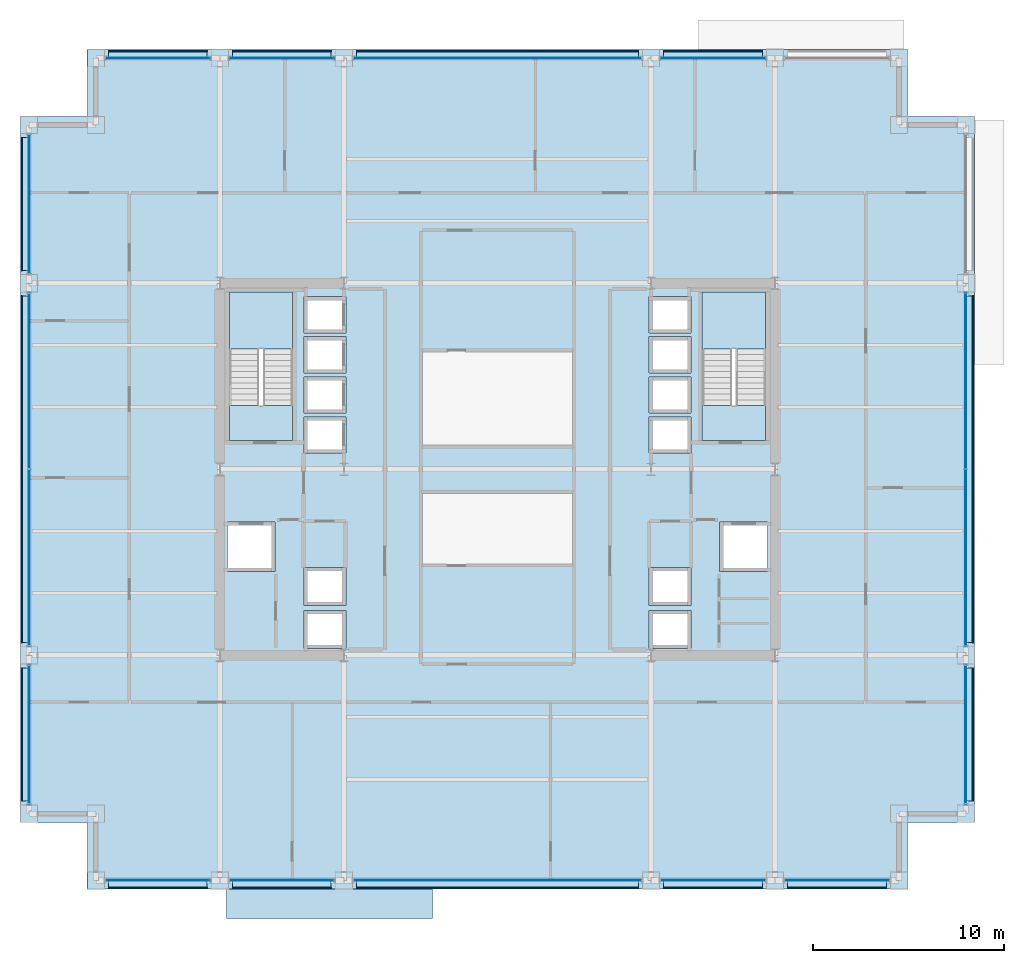
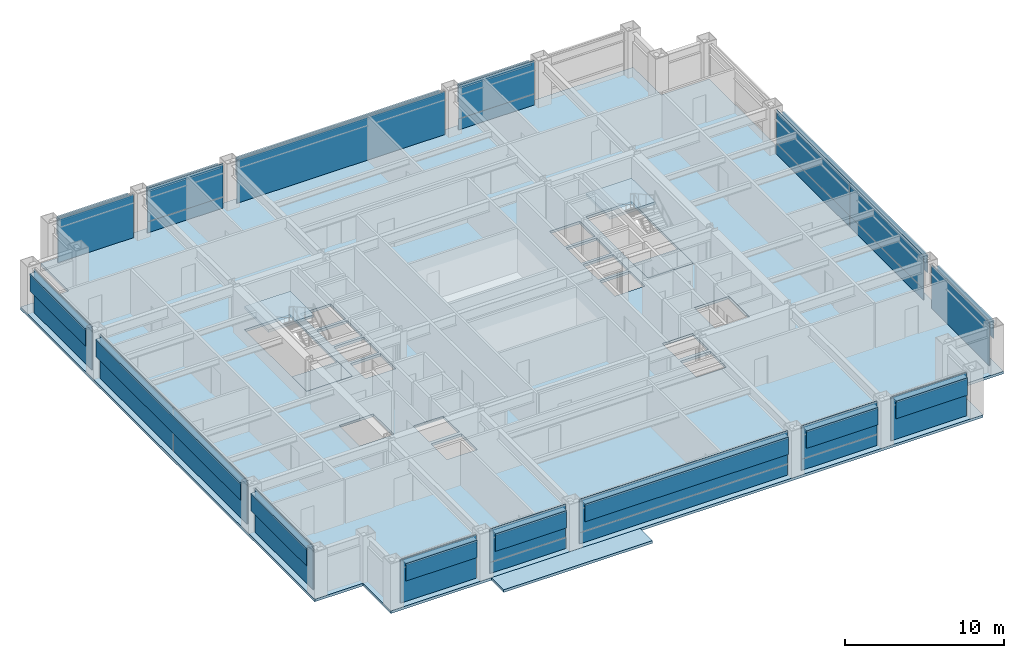
# One storey, part 23 of 28: 51 plates, 6 slabs, 16 elements without a shape of their own.
"""IFC4 building model written with IfcOpenShell, lengths in metres."""

from ifc_helpers import new_model, si_unit, direction, frame, origin, origin_2d, place, context, subcontext, project, spatial, polyline, rectangle, outline, extrude, material, layer, layer_set, type_object, element, aggregate, save


model = new_model("IFC4")

# Units and contexts
model_context = context("Model", 3, precision=1e-05, world=origin(), true_north=direction((0.0, 1.0)))
body_context = subcontext(model_context, "Body", "Model", "MODEL_VIEW")
ifc_project = project(units=[si_unit("LENGTHUNIT", "METRE"), si_unit("AREAUNIT", "SQUARE_METRE"), si_unit("VOLUMEUNIT", "CUBIC_METRE"), si_unit("PLANEANGLEUNIT", "RADIAN"), si_unit("MASSUNIT", "GRAM", prefix="KILO")], contexts=[model_context])

# Site, building, storey
site_placement = place(None, origin())
site = spatial("IfcSite", under=ifc_project, at=site_placement, CompositionType="ELEMENT")
building_placement = place(site_placement, origin())
building = spatial("IfcBuilding", under=site, at=building_placement, Name="Brelmoor Portico Tower", CompositionType="ELEMENT")
storey_placement = place(building_placement, frame((0.0, 0.0, 49.199951171875)))
storey = spatial("IfcBuildingStorey", under=building, at=storey_placement, Name="L12", CompositionType="ELEMENT", Elevation=49.199951171875)

# Curtain wall, plate
ifc_material_1 = material(Name="Anodised Aluminium Alloy 6063-T6", Category="aluminium")
ifc_layer_1 = layer(ifc_material_1, 0.179931640625)
ifc_layer_set_1 = layer_set([ifc_layer_1], Name="Anodised Aluminium Alloy 6063-T6")
curtain_wall_type_1 = type_object("IfcCurtainWallType", Name="CW-TOWER-Z1", PredefinedType="NOTDEFINED", material=ifc_layer_set_1)
curtain_wall_1_placement = place(storey_placement, origin())
curtain_wall_1 = element("IfcCurtainWall", 1, at=curtain_wall_1_placement, inside=storey, type_object=curtain_wall_type_1, Name="L12 Curtain Wall CW-L12-01-2", PredefinedType="NOTDEFINED")
ifc_material_2 = material(Name="Double-Silver Low-E Insulated Glazing", Category="glass")
ifc_layer_2 = layer(ifc_material_2, 0.035888671875)
ifc_layer_set_2 = layer_set([ifc_layer_2], Name="Double-Silver Low-E Insulated Glazing")
plate_type_1 = type_object("IfcPlateType", Name="PT-CW-GLASS", PredefinedType="CURTAIN_PANEL", material=ifc_layer_set_2)
plate_1_placement = place(storey_placement, frame((-11.300048828125, -21.550048828125, 0.85009765625), z_axis=(0.0, 0.0, 1.0), x_axis=(1.0, 0.0, 0.0)))
plate_1 = element("IfcPlate", 2, at=plate_1_placement, type_object=plate_type_1, Name="CW-L12-01-2 Vision Glass Panel 00", PredefinedType="CURTAIN_PANEL", context=body_context, shape_type="SweptSolid", body=[
    extrude(rectangle(XDim=5.5, YDim=0.035888671875, at=origin_2d()), origin(), (0.0, 0.0, 1.0), 2.550048828125),
])

curtain_wall_2_placement = place(storey_placement, origin())
curtain_wall_2 = element("IfcCurtainWall", 3, at=curtain_wall_2_placement, inside=storey, type_object=curtain_wall_type_1, Name="L12 Curtain Wall CW-L12-01-3", PredefinedType="NOTDEFINED")
plate_2_placement = place(storey_placement, frame((0.0, -21.550048828125, 0.85009765625), z_axis=(0.0, 0.0, 1.0), x_axis=(1.0, 0.0, 0.0)))
plate_2 = element("IfcPlate", 4, at=plate_2_placement, type_object=plate_type_1, Name="CW-L12-01-3 Vision Glass Panel 00", PredefinedType="CURTAIN_PANEL", context=body_context, shape_type="SweptSolid", body=[
    extrude(rectangle(XDim=15.10009765625, YDim=0.035888671875, at=origin_2d()), origin(), (0.0, 0.0, 1.0), 2.550048828125),
])

curtain_wall_3_placement = place(storey_placement, origin())
curtain_wall_3 = element("IfcCurtainWall", 5, at=curtain_wall_3_placement, inside=storey, type_object=curtain_wall_type_1, Name="L12 Curtain Wall CW-L12-01-4", PredefinedType="NOTDEFINED")
plate_3_placement = place(storey_placement, frame((11.300048828125, -21.550048828125, 0.85009765625), z_axis=(0.0, 0.0, 1.0), x_axis=(1.0, 0.0, 0.0)))
plate_3 = element("IfcPlate", 6, at=plate_3_placement, type_object=plate_type_1, Name="CW-L12-01-4 Vision Glass Panel 00", PredefinedType="CURTAIN_PANEL", context=body_context, shape_type="SweptSolid", body=[
    extrude(rectangle(XDim=5.5, YDim=0.035888671875, at=origin_2d()), origin(), (0.0, 0.0, 1.0), 2.550048828125),
])

curtain_wall_4_placement = place(storey_placement, origin())
curtain_wall_4 = element("IfcCurtainWall", 7, at=curtain_wall_4_placement, inside=storey, type_object=curtain_wall_type_1, Name="L12 Curtain Wall CW-L12-02-2", PredefinedType="NOTDEFINED")
plate_4_placement = place(storey_placement, frame((-11.300048828125, 21.550048828125, 0.85009765625), z_axis=(0.0, 0.0, 1.0), x_axis=(1.0, 0.0, 0.0)))
plate_4 = element("IfcPlate", 8, at=plate_4_placement, type_object=plate_type_1, Name="CW-L12-02-2 Vision Glass Panel 00", PredefinedType="CURTAIN_PANEL", context=body_context, shape_type="SweptSolid", body=[
    extrude(rectangle(XDim=5.5, YDim=0.035888671875, at=origin_2d()), origin(), (0.0, 0.0, 1.0), 2.550048828125),
])

curtain_wall_5_placement = place(storey_placement, origin())
curtain_wall_5 = element("IfcCurtainWall", 9, at=curtain_wall_5_placement, inside=storey, type_object=curtain_wall_type_1, Name="L12 Curtain Wall CW-L12-02-4", PredefinedType="NOTDEFINED")
plate_5_placement = place(storey_placement, frame((11.300048828125, 21.550048828125, 0.85009765625), z_axis=(0.0, 0.0, 1.0), x_axis=(1.0, 0.0, 0.0)))
plate_5 = element("IfcPlate", 10, at=plate_5_placement, type_object=plate_type_1, Name="CW-L12-02-4 Vision Glass Panel 00", PredefinedType="CURTAIN_PANEL", context=body_context, shape_type="SweptSolid", body=[
    extrude(rectangle(XDim=5.5, YDim=0.035888671875, at=origin_2d()), origin(), (0.0, 0.0, 1.0), 2.550048828125),
])

# Curtain wall, plates
curtain_wall_6_placement = place(storey_placement, origin())
curtain_wall_6 = element("IfcCurtainWall", 11, at=curtain_wall_6_placement, inside=storey, type_object=curtain_wall_type_1, Name="L12 Curtain Wall CW-L12-04-2", PredefinedType="NOTDEFINED")
plate_6_placement = place(storey_placement, frame((24.550048828125, -4.632568359375, 0.85009765625), z_axis=(0.0, 0.0, 1.0), x_axis=(0.0, 1.0, 0.0)))
plate_6 = element("IfcPlate", 12, at=plate_6_placement, type_object=plate_type_1, Name="CW-L12-04-2 Vision Glass Panel 00", PredefinedType="CURTAIN_PANEL", context=body_context, shape_type="SweptSolid", body=[
    extrude(rectangle(XDim=9.235107421875, YDim=0.035888671875, at=origin_2d()), origin(), (0.0, 0.0, 1.0), 2.550048828125),
])
plate_7_placement = place(storey_placement, frame((24.550048828125, 4.632568359375, 0.85009765625), z_axis=(0.0, 0.0, 1.0), x_axis=(0.0, 1.0, 0.0)))
plate_7 = element("IfcPlate", 13, at=plate_7_placement, type_object=plate_type_1, Name="CW-L12-04-2 Vision Glass Panel 01", PredefinedType="CURTAIN_PANEL", context=body_context, shape_type="SweptSolid", body=[
    extrude(rectangle(XDim=9.235107421875, YDim=0.035888671875, at=origin_2d()), origin(), (0.0, 0.0, 1.0), 2.550048828125),
])

# Curtain wall, plate
ifc_layer_3 = layer(ifc_material_1, 0.179931640625)
ifc_layer_set_3 = layer_set([ifc_layer_3], Name="Anodised Aluminium Alloy 6063-T6")
curtain_wall_type_2 = type_object("IfcCurtainWallType", Name="CW-TOWER-Z1-XB", PredefinedType="NOTDEFINED", material=ifc_layer_set_3)
curtain_wall_7_placement = place(storey_placement, origin())
curtain_wall_7 = element("IfcCurtainWall", 14, at=curtain_wall_7_placement, inside=storey, type_object=curtain_wall_type_2, Name="L12 Curtain Wall CW-L12-01-1", PredefinedType="NOTDEFINED")
ifc_material_3 = material(Name="Pale Champagne Anodised Aluminium Panel", Category="aluminium")
ifc_layer_4 = layer(ifc_material_3, 0.050048828125)
ifc_layer_set_4 = layer_set([ifc_layer_4], Name="Pale Champagne Anodised Aluminium Panel")
plate_type_2 = type_object("IfcPlateType", Name="PT-CW-SPANDREL", PredefinedType="SHEET", material=ifc_layer_set_4)
plate_8_placement = place(storey_placement, frame((-17.800048828125, -21.550048828125, 0.0), z_axis=(0.0, 0.0, 1.0), x_axis=(1.0, 0.0, 0.0)))
plate_8 = element("IfcPlate", 15, at=plate_8_placement, type_object=plate_type_2, Name="CW-L12-01-1 Spandrel Panel 00", PredefinedType="SHEET", context=body_context, shape_type="SweptSolid", body=[
    extrude(rectangle(XDim=5.5, YDim=0.050048828125, at=origin_2d()), origin(), (0.0, 0.0, 1.0), 3.330078125),
])
aggregate(curtain_wall_7, [plate_8])

# Plate
plate_9_placement = place(storey_placement, frame((-11.300048828125, -21.550048828125, 0.0), z_axis=(0.0, 0.0, 1.0), x_axis=(1.0, 0.0, 0.0)))
plate_9 = element("IfcPlate", 16, at=plate_9_placement, type_object=plate_type_2, Name="CW-L12-01-2 Spandrel Panel 00", PredefinedType="SHEET", context=body_context, shape_type="SweptSolid", body=[
    extrude(rectangle(XDim=5.5, YDim=0.050048828125, at=origin_2d()), origin(), (0.0, 0.0, 1.0), 0.85009765625),
])

aggregate(curtain_wall_1, [plate_9, plate_1])

plate_10_placement = place(storey_placement, frame((0.0, -21.550048828125, 0.0), z_axis=(0.0, 0.0, 1.0), x_axis=(1.0, 0.0, 0.0)))
plate_10 = element("IfcPlate", 17, at=plate_10_placement, type_object=plate_type_2, Name="CW-L12-01-3 Spandrel Panel 00", PredefinedType="SHEET", context=body_context, shape_type="SweptSolid", body=[
    extrude(rectangle(XDim=15.10009765625, YDim=0.050048828125, at=origin_2d()), origin(), (0.0, 0.0, 1.0), 0.85009765625),
])

aggregate(curtain_wall_2, [plate_10, plate_2])

plate_11_placement = place(storey_placement, frame((11.300048828125, -21.550048828125, 0.0), z_axis=(0.0, 0.0, 1.0), x_axis=(1.0, 0.0, 0.0)))
plate_11 = element("IfcPlate", 18, at=plate_11_placement, type_object=plate_type_2, Name="CW-L12-01-4 Spandrel Panel 00", PredefinedType="SHEET", context=body_context, shape_type="SweptSolid", body=[
    extrude(rectangle(XDim=5.5, YDim=0.050048828125, at=origin_2d()), origin(), (0.0, 0.0, 1.0), 0.85009765625),
])

aggregate(curtain_wall_3, [plate_11, plate_3])

# Curtain wall, plate
curtain_wall_8_placement = place(storey_placement, origin())
curtain_wall_8 = element("IfcCurtainWall", 19, at=curtain_wall_8_placement, inside=storey, type_object=curtain_wall_type_2, Name="L12 Curtain Wall CW-L12-01-5", PredefinedType="NOTDEFINED")
plate_12_placement = place(storey_placement, frame((17.800048828125, -21.550048828125, 0.0), z_axis=(0.0, 0.0, 1.0), x_axis=(1.0, 0.0, 0.0)))
plate_12 = element("IfcPlate", 20, at=plate_12_placement, type_object=plate_type_2, Name="CW-L12-01-5 Spandrel Panel 00", PredefinedType="SHEET", context=body_context, shape_type="SweptSolid", body=[
    extrude(rectangle(XDim=5.5, YDim=0.050048828125, at=origin_2d()), origin(), (0.0, 0.0, 1.0), 3.330078125),
])
aggregate(curtain_wall_8, [plate_12])

curtain_wall_9_placement = place(storey_placement, origin())
curtain_wall_9 = element("IfcCurtainWall", 21, at=curtain_wall_9_placement, inside=storey, type_object=curtain_wall_type_2, Name="L12 Curtain Wall CW-L12-02-1", PredefinedType="NOTDEFINED")
plate_13_placement = place(storey_placement, frame((-17.800048828125, 21.550048828125, 0.0), z_axis=(0.0, 0.0, 1.0), x_axis=(1.0, 0.0, 0.0)))
plate_13 = element("IfcPlate", 22, at=plate_13_placement, type_object=plate_type_2, Name="CW-L12-02-1 Spandrel Panel 00", PredefinedType="SHEET", context=body_context, shape_type="SweptSolid", body=[
    extrude(rectangle(XDim=5.5, YDim=0.050048828125, at=origin_2d()), origin(), (0.0, 0.0, 1.0), 3.330078125),
])
aggregate(curtain_wall_9, [plate_13])

# Plate
plate_14_placement = place(storey_placement, frame((-11.300048828125, 21.550048828125, 0.0), z_axis=(0.0, 0.0, 1.0), x_axis=(1.0, 0.0, 0.0)))
plate_14 = element("IfcPlate", 23, at=plate_14_placement, type_object=plate_type_2, Name="CW-L12-02-2 Spandrel Panel 00", PredefinedType="SHEET", context=body_context, shape_type="SweptSolid", body=[
    extrude(rectangle(XDim=5.5, YDim=0.050048828125, at=origin_2d()), origin(), (0.0, 0.0, 1.0), 0.85009765625),
])

aggregate(curtain_wall_4, [plate_14, plate_4])

# Curtain wall, plate
curtain_wall_10_placement = place(storey_placement, origin())
curtain_wall_10 = element("IfcCurtainWall", 24, at=curtain_wall_10_placement, inside=storey, type_object=curtain_wall_type_2, Name="L12 Curtain Wall CW-L12-02-3", PredefinedType="NOTDEFINED")
plate_15_placement = place(storey_placement, frame((0.0, 21.550048828125, 0.0), z_axis=(0.0, 0.0, 1.0), x_axis=(1.0, 0.0, 0.0)))
plate_15 = element("IfcPlate", 25, at=plate_15_placement, type_object=plate_type_2, Name="CW-L12-02-3 Spandrel Panel 00", PredefinedType="SHEET", context=body_context, shape_type="SweptSolid", body=[
    extrude(rectangle(XDim=15.10009765625, YDim=0.050048828125, at=origin_2d()), origin(), (0.0, 0.0, 1.0), 3.330078125),
])
aggregate(curtain_wall_10, [plate_15])

# Plate
plate_16_placement = place(storey_placement, frame((11.300048828125, 21.550048828125, 0.0), z_axis=(0.0, 0.0, 1.0), x_axis=(1.0, 0.0, 0.0)))
plate_16 = element("IfcPlate", 26, at=plate_16_placement, type_object=plate_type_2, Name="CW-L12-02-4 Spandrel Panel 00", PredefinedType="SHEET", context=body_context, shape_type="SweptSolid", body=[
    extrude(rectangle(XDim=5.5, YDim=0.050048828125, at=origin_2d()), origin(), (0.0, 0.0, 1.0), 0.85009765625),
])

aggregate(curtain_wall_5, [plate_16, plate_5])

# Curtain wall, plate
curtain_wall_11_placement = place(storey_placement, origin())
curtain_wall_11 = element("IfcCurtainWall", 27, at=curtain_wall_11_placement, inside=storey, type_object=curtain_wall_type_2, Name="L12 Curtain Wall CW-L12-03-1", PredefinedType="NOTDEFINED")
plate_17_placement = place(storey_placement, frame((-24.550048828125, -13.89990234375, 0.0), z_axis=(0.0, 0.0, 1.0), x_axis=(0.0, 1.0, 0.0)))
plate_17 = element("IfcPlate", 28, at=plate_17_placement, type_object=plate_type_2, Name="CW-L12-03-1 Spandrel Panel 00", PredefinedType="SHEET", context=body_context, shape_type="SweptSolid", body=[
    extrude(rectangle(XDim=7.300048828125, YDim=0.050048828125, at=origin_2d()), origin(), (0.0, 0.0, 1.0), 3.330078125),
])
aggregate(curtain_wall_11, [plate_17])

# Curtain wall, plates
curtain_wall_12_placement = place(storey_placement, origin())
curtain_wall_12 = element("IfcCurtainWall", 29, at=curtain_wall_12_placement, inside=storey, type_object=curtain_wall_type_2, Name="L12 Curtain Wall CW-L12-03-2", PredefinedType="NOTDEFINED")
plate_18_placement = place(storey_placement, frame((-24.550048828125, -4.632568359375, 0.0), z_axis=(0.0, 0.0, 1.0), x_axis=(0.0, 1.0, 0.0)))
plate_18 = element("IfcPlate", 30, at=plate_18_placement, type_object=plate_type_2, Name="CW-L12-03-2 Spandrel Panel 00", PredefinedType="SHEET", context=body_context, shape_type="SweptSolid", body=[
    extrude(rectangle(XDim=9.235107421875, YDim=0.050048828125, at=origin_2d()), origin(), (0.0, 0.0, 1.0), 3.330078125),
])
plate_19_placement = place(storey_placement, frame((-24.550048828125, 4.632568359375, 0.0), z_axis=(0.0, 0.0, 1.0), x_axis=(0.0, 1.0, 0.0)))
plate_19 = element("IfcPlate", 31, at=plate_19_placement, type_object=plate_type_2, Name="CW-L12-03-2 Spandrel Panel 01", PredefinedType="SHEET", context=body_context, shape_type="SweptSolid", body=[
    extrude(rectangle(XDim=9.235107421875, YDim=0.050048828125, at=origin_2d()), origin(), (0.0, 0.0, 1.0), 3.330078125),
])
aggregate(curtain_wall_12, [plate_18, plate_19])

# Curtain wall, plate
curtain_wall_13_placement = place(storey_placement, origin())
curtain_wall_13 = element("IfcCurtainWall", 32, at=curtain_wall_13_placement, inside=storey, type_object=curtain_wall_type_2, Name="L12 Curtain Wall CW-L12-03-3", PredefinedType="NOTDEFINED")
plate_20_placement = place(storey_placement, frame((-24.550048828125, 13.89990234375, 0.0), z_axis=(0.0, 0.0, 1.0), x_axis=(0.0, 1.0, 0.0)))
plate_20 = element("IfcPlate", 33, at=plate_20_placement, type_object=plate_type_2, Name="CW-L12-03-3 Spandrel Panel 00", PredefinedType="SHEET", context=body_context, shape_type="SweptSolid", body=[
    extrude(rectangle(XDim=7.300048828125, YDim=0.050048828125, at=origin_2d()), origin(), (0.0, 0.0, 1.0), 3.330078125),
])
aggregate(curtain_wall_13, [plate_20])

curtain_wall_14_placement = place(storey_placement, origin())
curtain_wall_14 = element("IfcCurtainWall", 34, at=curtain_wall_14_placement, inside=storey, type_object=curtain_wall_type_2, Name="L12 Curtain Wall CW-L12-04-1", PredefinedType="NOTDEFINED")
plate_21_placement = place(storey_placement, frame((24.550048828125, -13.89990234375, 0.0), z_axis=(0.0, 0.0, 1.0), x_axis=(0.0, 1.0, 0.0)))
plate_21 = element("IfcPlate", 35, at=plate_21_placement, type_object=plate_type_2, Name="CW-L12-04-1 Spandrel Panel 00", PredefinedType="SHEET", context=body_context, shape_type="SweptSolid", body=[
    extrude(rectangle(XDim=7.300048828125, YDim=0.050048828125, at=origin_2d()), origin(), (0.0, 0.0, 1.0), 3.330078125),
])
aggregate(curtain_wall_14, [plate_21])

# Plate
plate_22_placement = place(storey_placement, frame((24.550048828125, -4.632568359375, 0.0), z_axis=(0.0, 0.0, 1.0), x_axis=(0.0, 1.0, 0.0)))
plate_22 = element("IfcPlate", 36, at=plate_22_placement, type_object=plate_type_2, Name="CW-L12-04-2 Spandrel Panel 00", PredefinedType="SHEET", context=body_context, shape_type="SweptSolid", body=[
    extrude(rectangle(XDim=9.235107421875, YDim=0.050048828125, at=origin_2d()), origin(), (0.0, 0.0, 1.0), 0.85009765625),
])

plate_23_placement = place(storey_placement, frame((24.550048828125, 4.632568359375, 0.0), z_axis=(0.0, 0.0, 1.0), x_axis=(0.0, 1.0, 0.0)))
plate_23 = element("IfcPlate", 37, at=plate_23_placement, type_object=plate_type_2, Name="CW-L12-04-2 Spandrel Panel 01", PredefinedType="SHEET", context=body_context, shape_type="SweptSolid", body=[
    extrude(rectangle(XDim=9.235107421875, YDim=0.050048828125, at=origin_2d()), origin(), (0.0, 0.0, 1.0), 0.85009765625),
])

aggregate(curtain_wall_6, [plate_22, plate_6, plate_23, plate_7])

# Plates
ifc_material_4 = material(Name="Powder-Coated Aluminium Shuttered Jalousie Louvre", Category="aluminium")
ifc_layer_5 = layer(ifc_material_4, 0.06005859375)
ifc_layer_set_5 = layer_set([ifc_layer_5], Name="Powder-Coated Aluminium Shuttered Jalousie Louvre")
plate_type_3 = type_object("IfcPlateType", Name="PT-JALOUSIE-SHUTTER", PredefinedType="SHEET", material=ifc_layer_set_5)
for number, where, z_axis, x_axis, name in (
    (38, (-17.800048828125, -21.929931640625, 1.8740234375), (0.0, 0.0, 1.0), (1.0, 0.0, 0.0), "CW-L12-01-1 Perforated Jalousie Solar Screen"),
    (39, (-11.300048828125, -21.929931640625, 1.8740234375), (0.0, 0.0, 1.0), (1.0, 0.0, 0.0), "CW-L12-01-2 Perforated Jalousie Solar Screen"),
):
    element("IfcPlate", number, at=place(storey_placement, frame(where, z_axis=z_axis, x_axis=x_axis)), inside=storey, type_object=plate_type_3, Name=name, PredefinedType="SHEET", context=body_context, shape_type="SweptSolid", body=[
        extrude(rectangle(XDim=5.169921875, YDim=0.06494140625, at=origin_2d()), origin(), (0.0, 0.0, 1.0), 1.325927734375),
    ])
plate_24_placement = place(storey_placement, frame((0.0, -21.929931640625, 1.8740234375), z_axis=(0.0, 0.0, 1.0), x_axis=(1.0, 0.0, 0.0)))
element("IfcPlate", 40, at=plate_24_placement, inside=storey, type_object=plate_type_3, Name="CW-L12-01-3 Perforated Jalousie Solar Screen", PredefinedType="SHEET", context=body_context, shape_type="SweptSolid", body=[
    extrude(rectangle(XDim=14.77001953125, YDim=0.06494140625, at=origin_2d()), origin(), (0.0, 0.0, 1.0), 1.325927734375),
])
for number, where, z_axis, x_axis, name in (
    (41, (11.300048828125, -21.929931640625, 1.8740234375), (0.0, 0.0, 1.0), (1.0, 0.0, 0.0), "CW-L12-01-4 Perforated Jalousie Solar Screen"),
    (42, (17.800048828125, -21.929931640625, 1.8740234375), (0.0, 0.0, 1.0), (1.0, 0.0, 0.0), "CW-L12-01-5 Perforated Jalousie Solar Screen"),
    (43, (-17.800048828125, 21.929931640625, 1.8740234375), (0.0, 0.0, 1.0), (1.0, 0.0, 0.0), "CW-L12-02-1 Perforated Jalousie Solar Screen"),
    (44, (-11.300048828125, 21.929931640625, 1.8740234375), (0.0, 0.0, 1.0), (1.0, 0.0, 0.0), "CW-L12-02-2 Perforated Jalousie Solar Screen"),
):
    element("IfcPlate", number, at=place(storey_placement, frame(where, z_axis=z_axis, x_axis=x_axis)), inside=storey, type_object=plate_type_3, Name=name, PredefinedType="SHEET", context=body_context, shape_type="SweptSolid", body=[
        extrude(rectangle(XDim=5.169921875, YDim=0.06494140625, at=origin_2d()), origin(), (0.0, 0.0, 1.0), 1.325927734375),
    ])
plate_25_placement = place(storey_placement, frame((0.0, 21.929931640625, 1.8740234375), z_axis=(0.0, 0.0, 1.0), x_axis=(1.0, 0.0, 0.0)))
element("IfcPlate", 45, at=plate_25_placement, inside=storey, type_object=plate_type_3, Name="CW-L12-02-3 Perforated Jalousie Solar Screen", PredefinedType="SHEET", context=body_context, shape_type="SweptSolid", body=[
    extrude(rectangle(XDim=14.77001953125, YDim=0.06494140625, at=origin_2d()), origin(), (0.0, 0.0, 1.0), 1.325927734375),
])
plate_26_placement = place(storey_placement, frame((11.300048828125, 21.929931640625, 1.8740234375), z_axis=(0.0, 0.0, 1.0), x_axis=(1.0, 0.0, 0.0)))
element("IfcPlate", 46, at=plate_26_placement, inside=storey, type_object=plate_type_3, Name="CW-L12-02-4 Perforated Jalousie Solar Screen", PredefinedType="SHEET", context=body_context, shape_type="SweptSolid", body=[
    extrude(rectangle(XDim=5.169921875, YDim=0.06494140625, at=origin_2d()), origin(), (0.0, 0.0, 1.0), 1.325927734375),
])
plate_27_placement = place(storey_placement, frame((-24.929931640625, -13.89990234375, 1.8740234375), z_axis=(0.0, 0.0, 1.0), x_axis=(0.0, 1.0, 0.0)))
element("IfcPlate", 47, at=plate_27_placement, inside=storey, type_object=plate_type_3, Name="CW-L12-03-1 Perforated Jalousie Solar Screen", PredefinedType="SHEET", context=body_context, shape_type="SweptSolid", body=[
    extrude(rectangle(XDim=6.969970703125, YDim=0.06494140625, at=origin_2d()), origin(), (0.0, 0.0, 1.0), 1.325927734375),
])
plate_28_placement = place(storey_placement, frame((-24.929931640625, 0.0, 1.8740234375), z_axis=(0.0, 0.0, 1.0), x_axis=(0.0, 1.0, 0.0)))
element("IfcPlate", 48, at=plate_28_placement, inside=storey, type_object=plate_type_3, Name="CW-L12-03-2 Perforated Jalousie Solar Screen", PredefinedType="SHEET", context=body_context, shape_type="SweptSolid", body=[
    extrude(rectangle(XDim=18.169921875, YDim=0.06494140625, at=origin_2d()), origin(), (0.0, 0.0, 1.0), 1.325927734375),
])
for number, where, z_axis, x_axis, name in (
    (49, (-24.929931640625, 13.89990234375, 1.8740234375), (0.0, 0.0, 1.0), (0.0, 1.0, 0.0), "CW-L12-03-3 Perforated Jalousie Solar Screen"),
    (50, (24.929931640625, -13.89990234375, 1.8740234375), (0.0, 0.0, 1.0), (0.0, 1.0, 0.0), "CW-L12-04-1 Perforated Jalousie Solar Screen"),
):
    element("IfcPlate", number, at=place(storey_placement, frame(where, z_axis=z_axis, x_axis=x_axis)), inside=storey, type_object=plate_type_3, Name=name, PredefinedType="SHEET", context=body_context, shape_type="SweptSolid", body=[
        extrude(rectangle(XDim=6.969970703125, YDim=0.06494140625, at=origin_2d()), origin(), (0.0, 0.0, 1.0), 1.325927734375),
    ])
plate_29_placement = place(storey_placement, frame((24.929931640625, 0.0, 1.8740234375), z_axis=(0.0, 0.0, 1.0), x_axis=(0.0, 1.0, 0.0)))
element("IfcPlate", 51, at=plate_29_placement, inside=storey, type_object=plate_type_3, Name="CW-L12-04-2 Perforated Jalousie Solar Screen", PredefinedType="SHEET", context=body_context, shape_type="SweptSolid", body=[
    extrude(rectangle(XDim=18.169921875, YDim=0.06494140625, at=origin_2d()), origin(), (0.0, 0.0, 1.0), 1.325927734375),
])
ifc_material_5 = material(Name="Pale Champagne Perforated Aluminium Solar Screen", Category="aluminium")
ifc_layer_6 = layer(ifc_material_5, 0.054931640625)
ifc_layer_set_6 = layer_set([ifc_layer_6], Name="Pale Champagne Perforated Aluminium Solar Screen")
plate_type_4 = type_object("IfcPlateType", Name="PT-SOLAR-LOUVRE", PredefinedType="SHEET", material=ifc_layer_set_6)
for number, where, z_axis, x_axis, name in (
    (52, (-17.800048828125, -21.760009765625, 3.09033203125), (0.0, 0.0, 1.0), (1.0, 0.0, 0.0), "CW-L12-01-1 Caribbean Brise-Soleil Solar Screen"),
    (53, (-11.300048828125, -21.760009765625, 3.09033203125), (0.0, 0.0, 1.0), (1.0, 0.0, 0.0), "CW-L12-01-2 Caribbean Brise-Soleil Solar Screen"),
):
    element("IfcPlate", number, at=place(storey_placement, frame(where, z_axis=z_axis, x_axis=x_axis)), inside=storey, type_object=plate_type_4, Name=name, PredefinedType="SHEET", context=body_context, shape_type="SweptSolid", body=[
        extrude(rectangle(XDim=5.169921875, YDim=0.4599609375, at=origin_2d()), origin(), (0.0, 0.0, 1.0), 0.139892578125),
    ])
plate_30_placement = place(storey_placement, frame((0.0, -21.760009765625, 3.09033203125), z_axis=(0.0, 0.0, 1.0), x_axis=(1.0, 0.0, 0.0)))
element("IfcPlate", 54, at=plate_30_placement, inside=storey, type_object=plate_type_4, Name="CW-L12-01-3 Caribbean Brise-Soleil Solar Screen", PredefinedType="SHEET", context=body_context, shape_type="SweptSolid", body=[
    extrude(rectangle(XDim=14.77001953125, YDim=0.4599609375, at=origin_2d()), origin(), (0.0, 0.0, 1.0), 0.139892578125),
])
for number, where, z_axis, x_axis, name in (
    (55, (11.300048828125, -21.760009765625, 3.09033203125), (0.0, 0.0, 1.0), (1.0, 0.0, 0.0), "CW-L12-01-4 Caribbean Brise-Soleil Solar Screen"),
    (56, (17.800048828125, -21.760009765625, 3.09033203125), (0.0, 0.0, 1.0), (1.0, 0.0, 0.0), "CW-L12-01-5 Caribbean Brise-Soleil Solar Screen"),
    (57, (-17.800048828125, 21.760009765625, 3.09033203125), (0.0, 0.0, 1.0), (1.0, 0.0, 0.0), "CW-L12-02-1 Caribbean Brise-Soleil Solar Screen"),
    (58, (-11.300048828125, 21.760009765625, 3.09033203125), (0.0, 0.0, 1.0), (1.0, 0.0, 0.0), "CW-L12-02-2 Caribbean Brise-Soleil Solar Screen"),
):
    element("IfcPlate", number, at=place(storey_placement, frame(where, z_axis=z_axis, x_axis=x_axis)), inside=storey, type_object=plate_type_4, Name=name, PredefinedType="SHEET", context=body_context, shape_type="SweptSolid", body=[
        extrude(rectangle(XDim=5.169921875, YDim=0.4599609375, at=origin_2d()), origin(), (0.0, 0.0, 1.0), 0.139892578125),
    ])
plate_31_placement = place(storey_placement, frame((0.0, 21.760009765625, 3.09033203125), z_axis=(0.0, 0.0, 1.0), x_axis=(1.0, 0.0, 0.0)))
element("IfcPlate", 59, at=plate_31_placement, inside=storey, type_object=plate_type_4, Name="CW-L12-02-3 Caribbean Brise-Soleil Solar Screen", PredefinedType="SHEET", context=body_context, shape_type="SweptSolid", body=[
    extrude(rectangle(XDim=14.77001953125, YDim=0.4599609375, at=origin_2d()), origin(), (0.0, 0.0, 1.0), 0.139892578125),
])
plate_32_placement = place(storey_placement, frame((11.300048828125, 21.760009765625, 3.09033203125), z_axis=(0.0, 0.0, 1.0), x_axis=(1.0, 0.0, 0.0)))
element("IfcPlate", 60, at=plate_32_placement, inside=storey, type_object=plate_type_4, Name="CW-L12-02-4 Caribbean Brise-Soleil Solar Screen", PredefinedType="SHEET", context=body_context, shape_type="SweptSolid", body=[
    extrude(rectangle(XDim=5.169921875, YDim=0.4599609375, at=origin_2d()), origin(), (0.0, 0.0, 1.0), 0.139892578125),
])
plate_33_placement = place(storey_placement, frame((-24.760009765625, -13.89990234375, 3.09033203125), z_axis=(0.0, 0.0, 1.0), x_axis=(0.0, 1.0, 0.0)))
element("IfcPlate", 61, at=plate_33_placement, inside=storey, type_object=plate_type_4, Name="CW-L12-03-1 Caribbean Brise-Soleil Solar Screen", PredefinedType="SHEET", context=body_context, shape_type="SweptSolid", body=[
    extrude(rectangle(XDim=6.969970703125, YDim=0.4599609375, at=origin_2d()), origin(), (0.0, 0.0, 1.0), 0.139892578125),
])
plate_34_placement = place(storey_placement, frame((-24.760009765625, 0.0, 3.09033203125), z_axis=(0.0, 0.0, 1.0), x_axis=(0.0, 1.0, 0.0)))
element("IfcPlate", 62, at=plate_34_placement, inside=storey, type_object=plate_type_4, Name="CW-L12-03-2 Caribbean Brise-Soleil Solar Screen", PredefinedType="SHEET", context=body_context, shape_type="SweptSolid", body=[
    extrude(rectangle(XDim=18.169921875, YDim=0.4599609375, at=origin_2d()), origin(), (0.0, 0.0, 1.0), 0.139892578125),
])
for number, where, z_axis, x_axis, name in (
    (63, (-24.760009765625, 13.89990234375, 3.09033203125), (0.0, 0.0, 1.0), (0.0, 1.0, 0.0), "CW-L12-03-3 Caribbean Brise-Soleil Solar Screen"),
    (64, (24.760009765625, -13.89990234375, 3.09033203125), (0.0, 0.0, 1.0), (0.0, 1.0, 0.0), "CW-L12-04-1 Caribbean Brise-Soleil Solar Screen"),
):
    element("IfcPlate", number, at=place(storey_placement, frame(where, z_axis=z_axis, x_axis=x_axis)), inside=storey, type_object=plate_type_4, Name=name, PredefinedType="SHEET", context=body_context, shape_type="SweptSolid", body=[
        extrude(rectangle(XDim=6.969970703125, YDim=0.4599609375, at=origin_2d()), origin(), (0.0, 0.0, 1.0), 0.139892578125),
    ])
plate_35_placement = place(storey_placement, frame((24.760009765625, 0.0, 3.09033203125), z_axis=(0.0, 0.0, 1.0), x_axis=(0.0, 1.0, 0.0)))
element("IfcPlate", 65, at=plate_35_placement, inside=storey, type_object=plate_type_4, Name="CW-L12-04-2 Caribbean Brise-Soleil Solar Screen", PredefinedType="SHEET", context=body_context, shape_type="SweptSolid", body=[
    extrude(rectangle(XDim=18.169921875, YDim=0.4599609375, at=origin_2d()), origin(), (0.0, 0.0, 1.0), 0.139892578125),
])

# Slab
ifc_material_6 = material(Name="Concrete C40", Category="concrete")
ifc_layer_7 = layer(ifc_material_6, 0.199951171875)
ifc_layer_set_7 = layer_set([ifc_layer_7], Name="Concrete C40")
slab_type_1 = type_object("IfcSlabType", Name="SL-FLOOR-200", PredefinedType="FLOOR", material=ifc_layer_set_7)
slab_1_placement = place(storey_placement, frame((0.0, 0.0, -0.199951171875)))
element("IfcSlab", 66, at=slab_1_placement, inside=storey, type_object=slab_type_1, Name="L12 Main Structural Floor Slab", PredefinedType="FLOOR", context=body_context, shape_type="SweptSolid", body=[
    extrude(outline(polyline([(-21.5, -22.0), (21.5, -22.0), (21.5, -18.5), (25.0, -18.5), (25.0, 18.5), (21.5, 18.5), (21.5, 22.0), (-21.5, 22.0), (-21.5, 18.5), (-25.0, 18.5), (-25.0, -18.5), (-21.5, -18.5), (-21.5, -22.0)]), holes=[polyline([(-10.72998046875, 1.5), (-10.72998046875, 9.300048828125), (-14.050048828125, 9.300048828125), (-14.050048828125, 1.5), (-10.72998046875, 1.5)]), polyline([(14.050048828125, 1.5), (14.050048828125, 9.300048828125), (10.72998046875, 9.300048828125), (10.72998046875, 1.5), (14.050048828125, 1.5)]), polyline([(-10.14990234375, 0.85009765625), (-7.949951171875, 0.85009765625), (-7.949951171875, 2.75), (-10.14990234375, 2.75), (-10.14990234375, 0.85009765625)]), polyline([(-10.14990234375, 2.949951171875), (-7.949951171875, 2.949951171875), (-7.949951171875, 4.85009765625), (-10.14990234375, 4.85009765625), (-10.14990234375, 2.949951171875)]), polyline([(-10.14990234375, 5.050048828125), (-7.949951171875, 5.050048828125), (-7.949951171875, 6.949951171875), (-10.14990234375, 6.949951171875), (-10.14990234375, 5.050048828125)]), polyline([(-10.14990234375, 7.14990234375), (-7.949951171875, 7.14990234375), (-7.949951171875, 9.050048828125), (-10.14990234375, 9.050048828125), (-10.14990234375, 7.14990234375)]), polyline([(7.949951171875, 0.85009765625), (10.14990234375, 0.85009765625), (10.14990234375, 2.75), (7.949951171875, 2.75), (7.949951171875, 0.85009765625)]), polyline([(7.949951171875, 2.949951171875), (10.14990234375, 2.949951171875), (10.14990234375, 4.85009765625), (7.949951171875, 4.85009765625), (7.949951171875, 2.949951171875)]), polyline([(7.949951171875, 5.050048828125), (10.14990234375, 5.050048828125), (10.14990234375, 6.949951171875), (7.949951171875, 6.949951171875), (7.949951171875, 5.050048828125)]), polyline([(7.949951171875, 7.14990234375), (10.14990234375, 7.14990234375), (10.14990234375, 9.050048828125), (7.949951171875, 9.050048828125), (7.949951171875, 7.14990234375)]), polyline([(-10.14990234375, -9.39990234375), (-7.949951171875, -9.39990234375), (-7.949951171875, -7.39990234375), (-10.14990234375, -7.39990234375), (-10.14990234375, -9.39990234375)]), polyline([(-10.14990234375, -7.14990234375), (-7.949951171875, -7.14990234375), (-7.949951171875, -5.14990234375), (-10.14990234375, -5.14990234375), (-10.14990234375, -7.14990234375)]), polyline([(7.949951171875, -9.39990234375), (10.14990234375, -9.39990234375), (10.14990234375, -7.39990234375), (7.949951171875, -7.39990234375), (7.949951171875, -9.39990234375)]), polyline([(7.949951171875, -7.14990234375), (10.14990234375, -7.14990234375), (10.14990234375, -5.14990234375), (7.949951171875, -5.14990234375), (7.949951171875, -7.14990234375)]), polyline([(-14.14990234375, -5.35009765625), (-11.64990234375, -5.35009765625), (-11.64990234375, -2.75), (-14.14990234375, -2.75), (-14.14990234375, -5.35009765625)]), polyline([(11.64990234375, -5.35009765625), (14.14990234375, -5.35009765625), (14.14990234375, -2.75), (11.64990234375, -2.75), (11.64990234375, -5.35009765625)])]), origin(), (0.0, 0.0, 1.0), 0.199951171875),
])

# Stair, slab
stair_type_1 = type_object("IfcStairType", Name="ST-CORE-W", PredefinedType="HALF_TURN_STAIR", material=ifc_material_6)
stair_1_placement = place(storey_placement, origin())
stair_1 = element("IfcStair", 67, at=stair_1_placement, inside=storey, type_object=stair_type_1, Name="L12 Protected Core Exit Stair ST-W", PredefinedType="HALF_TURN_STAIR")
ifc_layer_8 = layer(ifc_material_6, 0.179931640625)
ifc_layer_set_8 = layer_set([ifc_layer_8], Name="Concrete C40")
slab_type_2 = type_object("IfcSlabType", Name="SL-LANDING-180", PredefinedType="LANDING", material=ifc_layer_set_8)
slab_2_placement = place(storey_placement, frame((0.0, 0.0, 1.60009765625)))
slab_2 = element("IfcSlab", 68, at=slab_2_placement, type_object=slab_type_2, Name="ST-W landing 1", PredefinedType="LANDING", context=body_context, shape_type="SweptSolid", body=[
    extrude(outline(polyline([(-10.72998046875, 6.300048828125), (-10.72998046875, 9.300048828125), (-14.050048828125, 9.300048828125), (-14.050048828125, 6.300048828125), (-10.72998046875, 6.300048828125)])), origin(), (0.0, 0.0, 1.0), 0.199951171875),
])
aggregate(stair_1, [slab_2])

stair_type_2 = type_object("IfcStairType", Name="ST-CORE-E", PredefinedType="HALF_TURN_STAIR", material=ifc_material_6)
stair_2_placement = place(storey_placement, origin())
stair_2 = element("IfcStair", 69, at=stair_2_placement, inside=storey, type_object=stair_type_2, Name="L12 Protected Core Exit Stair ST-E", PredefinedType="HALF_TURN_STAIR")
slab_3_placement = place(storey_placement, frame((0.0, 0.0, 1.60009765625)))
slab_3 = element("IfcSlab", 70, at=slab_3_placement, type_object=slab_type_2, Name="ST-E landing 1", PredefinedType="LANDING", context=body_context, shape_type="SweptSolid", body=[
    extrude(outline(polyline([(14.050048828125, 6.300048828125), (14.050048828125, 9.300048828125), (10.72998046875, 9.300048828125), (10.72998046875, 6.300048828125), (14.050048828125, 6.300048828125)])), origin(), (0.0, 0.0, 1.0), 0.199951171875),
])
aggregate(stair_2, [slab_3])

# Slabs
ifc_layer_9 = layer(ifc_material_6, 0.199951171875)
ifc_layer_set_9 = layer_set([ifc_layer_9], Name="Concrete C40")
slab_type_3 = type_object("IfcSlabType", Name="SL-ROOF-200", PredefinedType="ROOF", material=ifc_layer_set_9)
slab_4_placement = place(storey_placement, frame((0.0, 0.0, -0.199951171875)))
element("IfcSlab", 71, at=slab_4_placement, inside=storey, type_object=slab_type_3, Name="L12 Picture-Frame Top Hood Slab S", PredefinedType="ROOF", context=body_context, shape_type="SweptSolid", body=[
    extrude(outline(polyline([(-14.199951171875, -23.550048828125), (-3.39990234375, -23.550048828125), (-3.39990234375, -22.0), (-14.199951171875, -22.0), (-14.199951171875, -23.550048828125)])), origin(), (0.0, 0.0, 1.0), 0.199951171875),
])
ifc_layer_10 = layer(ifc_material_6, 0.199951171875)
ifc_layer_set_10 = layer_set([ifc_layer_10], Name="Concrete C40")
slab_type_4 = type_object("IfcSlabType", Name="SL-STAIR-FL200", PredefinedType="LANDING", material=ifc_layer_set_10)
slab_5_placement = place(storey_placement, frame((0.0, 0.0, -0.199951171875)))
element("IfcSlab", 72, at=slab_5_placement, inside=storey, type_object=slab_type_4, Name="L12 ST-W Structural Floor Landing Slab", PredefinedType="LANDING", context=body_context, shape_type="SweptSolid", body=[
    extrude(outline(polyline([(-10.72998046875, 1.5), (-10.72998046875, 3.35009765625), (-14.050048828125, 3.35009765625), (-14.050048828125, 1.5), (-10.72998046875, 1.5)])), origin(), (0.0, 0.0, 1.0), 0.199951171875),
])
slab_6_placement = place(storey_placement, frame((0.0, 0.0, -0.199951171875)))
element("IfcSlab", 73, at=slab_6_placement, inside=storey, type_object=slab_type_4, Name="L12 ST-E Structural Floor Landing Slab", PredefinedType="LANDING", context=body_context, shape_type="SweptSolid", body=[
    extrude(outline(polyline([(14.050048828125, 1.5), (14.050048828125, 3.35009765625), (10.72998046875, 3.35009765625), (10.72998046875, 1.5), (14.050048828125, 1.5)])), origin(), (0.0, 0.0, 1.0), 0.199951171875),
])

save(model, "model.ifc")
